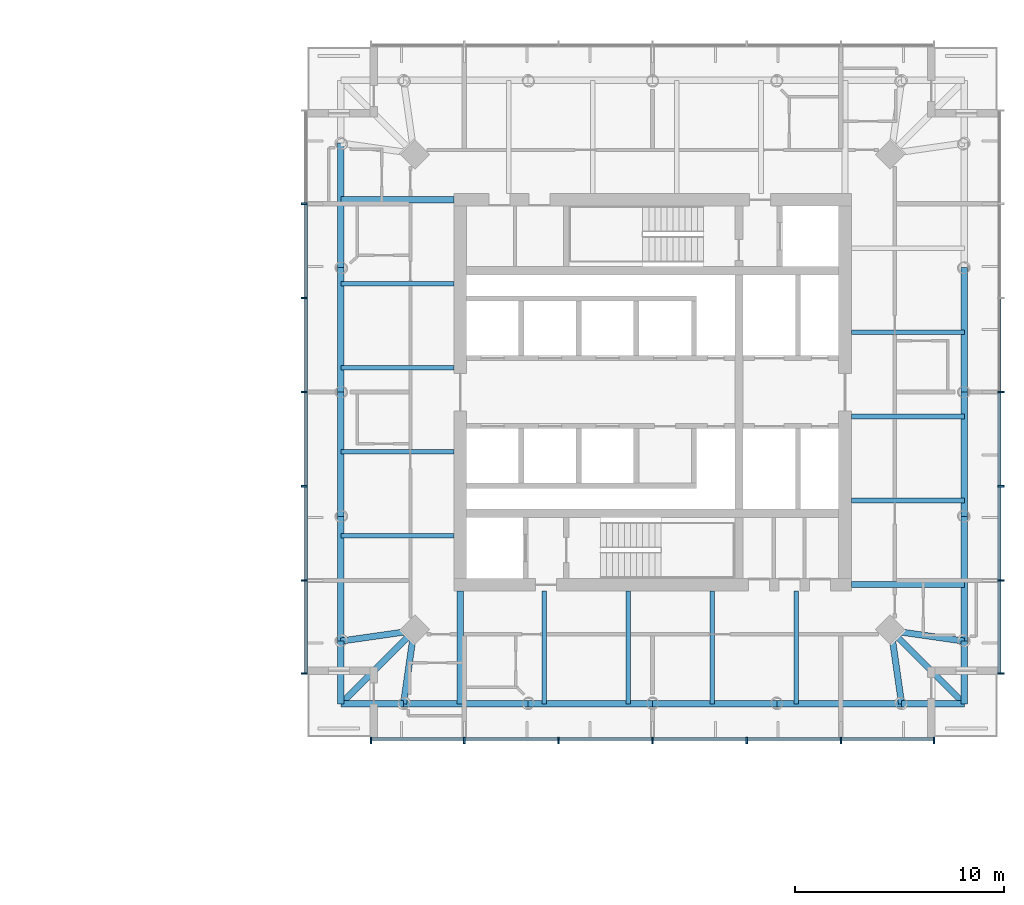
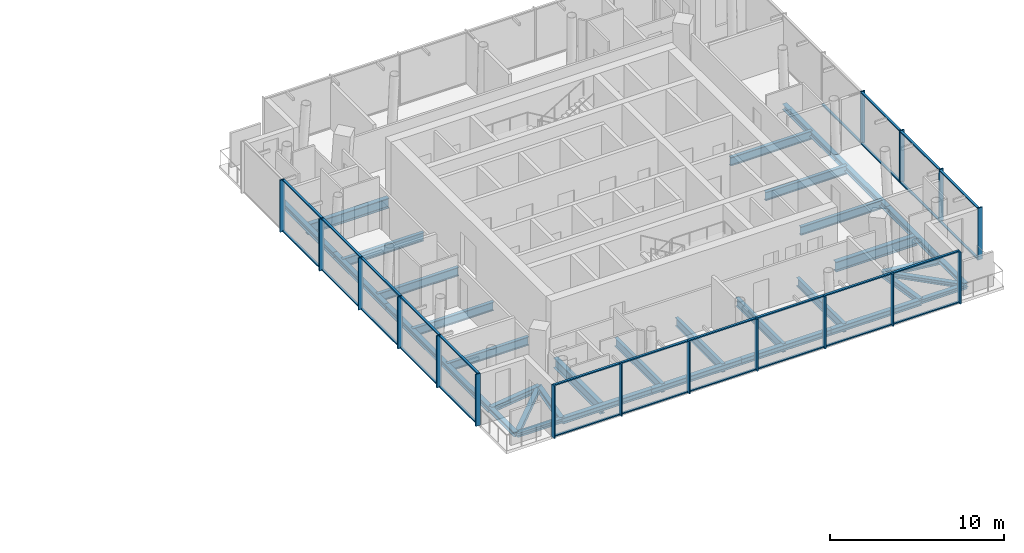
# One storey, part 4 of 19: 46 members, 35 beams, 3 elements without a shape of their own.
"""IFC4 building model written with IfcOpenShell, lengths in metres."""

from ifc_helpers import new_model, si_unit, direction, frame, origin, origin_2d, place, context, subcontext, project, spatial, rectangle, i_section, extrude, material, material_profile, profile_set, type_object, element, aggregate, save


model = new_model("IFC4")

# Units and contexts
model_context = context("Model", 3, precision=1e-05, world=origin(), true_north=direction((0.0, 1.0)))
body_context = subcontext(model_context, "Body", "Model", "MODEL_VIEW")
ifc_project = project(units=[si_unit("LENGTHUNIT", "METRE"), si_unit("AREAUNIT", "SQUARE_METRE"), si_unit("VOLUMEUNIT", "CUBIC_METRE"), si_unit("PLANEANGLEUNIT", "RADIAN"), si_unit("MASSUNIT", "GRAM", prefix="KILO")], contexts=[model_context])

# Site, building, storey
site_placement = place(None, origin())
site = spatial("IfcSite", under=ifc_project, at=site_placement, CompositionType="ELEMENT")
building_placement = place(site_placement, origin())
building = spatial("IfcBuilding", under=site, at=building_placement, Name="Ostroluk Exchange", CompositionType="ELEMENT")
storey_placement = place(building_placement, frame((0.0, 0.0, 116.0)))
storey = spatial("IfcBuildingStorey", under=building, at=storey_placement, Name="L29", CompositionType="ELEMENT", Elevation=116.0)

# Beams
ifc_material_1 = material(Name="Steel S355", Category="steel")
ifc_material_profile_1 = material_profile(ifc_material_1, i_section(OverallWidth=0.300048828125, OverallDepth=0.300048828125, WebThickness=0.010986328125, FlangeThickness=0.01904296875, FilletRadius=0.027099609375, at=origin_2d()), Name="HEB 300")
ifc_profile_set_1 = profile_set([ifc_material_profile_1], Name="Steel S355")
beam_type_1 = type_object("IfcBeamType", Name="Balcony beam HEB 300", PredefinedType="BEAM", material=ifc_profile_set_1)
for number, where, z_axis, x_axis, name in (
    (1, (102.0947265625, 34.0947265625, -0.35009765625), (0.0, -1.0, 0.0), (1.0, 0.0, 0.0), "T2 west balcony beam a"),
    (2, (105.0947265625, 31.0947265625, -0.35009765625), (-1.0, 0.0, 0.0), (0.0, -1.0, 0.0), "T2 west balcony beam b"),
):
    element("IfcBeam", number, at=place(storey_placement, frame(where, z_axis=z_axis, x_axis=x_axis)), inside=storey, type_object=beam_type_1, Name=name, PredefinedType="BEAM", context=body_context, shape_type="SweptSolid", body=[
        extrude(i_section(OverallWidth=0.300048828125, OverallDepth=0.300048828125, WebThickness=0.010986328125, FlangeThickness=0.01904296875, FilletRadius=0.027099609375, at=origin_2d()), origin(), (0.0, 0.0, 1.0), 3.0),
    ])
beam_1_placement = place(storey_placement, frame((105.5947265625, 34.5947265625, -0.35009765625), z_axis=(-0.707106781187, -0.707106781187, 0.0), x_axis=(0.707106781187, -0.707106781187, 0.0)))
element("IfcBeam", 3, at=beam_1_placement, inside=storey, type_object=beam_type_1, Name="T2 west balcony beam c", PredefinedType="BEAM", context=body_context, shape_type="SweptSolid", body=[
    extrude(i_section(OverallWidth=0.300048828125, OverallDepth=0.300048828125, WebThickness=0.010986328125, FlangeThickness=0.01904296875, FilletRadius=0.027099609375, at=origin_2d()), origin(), (0.0, 0.0, 1.0), 4.94970703125),
])
for number, where, z_axis, x_axis, name in (
    (4, (128.9052734375, 31.0947265625, -0.35009765625), (1.0, 0.0, 0.0), (0.0, 1.0, 0.0), "T2 south balcony beam a"),
    (5, (131.9052734375, 34.0947265625, -0.35009765625), (0.0, -1.0, 0.0), (1.0, 0.0, 0.0), "T2 south balcony beam b"),
):
    element("IfcBeam", number, at=place(storey_placement, frame(where, z_axis=z_axis, x_axis=x_axis)), inside=storey, type_object=beam_type_1, Name=name, PredefinedType="BEAM", context=body_context, shape_type="SweptSolid", body=[
        extrude(i_section(OverallWidth=0.300048828125, OverallDepth=0.300048828125, WebThickness=0.010986328125, FlangeThickness=0.01904296875, FilletRadius=0.027099609375, at=origin_2d()), origin(), (0.0, 0.0, 1.0), 3.0),
    ])
beam_2_placement = place(storey_placement, frame((128.4052734375, 34.5947265625, -0.35009765625), z_axis=(0.707106781187, -0.707106781187, 0.0), x_axis=(0.707106781187, 0.707106781187, 0.0)))
element("IfcBeam", 6, at=beam_2_placement, inside=storey, type_object=beam_type_1, Name="T2 south balcony beam c", PredefinedType="BEAM", context=body_context, shape_type="SweptSolid", body=[
    extrude(i_section(OverallWidth=0.300048828125, OverallDepth=0.300048828125, WebThickness=0.010986328125, FlangeThickness=0.01904296875, FilletRadius=0.027099609375, at=origin_2d()), origin(), (0.0, 0.0, 1.0), 4.94970703125),
])
ifc_material_2 = material(Name="Steel S355", Category="steel")
ifc_material_profile_2 = material_profile(ifc_material_2, i_section(OverallWidth=0.300048828125, OverallDepth=0.39990234375, WebThickness=0.013427734375, FlangeThickness=0.02392578125, FilletRadius=0.027099609375, at=origin_2d()), Name="HEB 400")
ifc_profile_set_2 = profile_set([ifc_material_profile_2], Name="Steel S355")
beam_type_2 = type_object("IfcBeamType", Name="Corner edge beam HEB 400", PredefinedType="SPANDREL", material=ifc_profile_set_2)
for number, where, z_axis, x_axis, name in (
    (7, (105.5947265625, 34.5947265625, -0.39990234375), (-0.989949493661, -0.141421356237, 0.0), (0.141421356237, -0.989949493661, 0.0), "T2 west corner edge beam a"),
    (8, (105.5947265625, 34.5947265625, -0.39990234375), (-0.141421356237, -0.989949493661, 0.0), (0.989949493661, -0.141421356237, 0.0), "T2 west corner edge beam b"),
    (9, (128.4052734375, 34.5947265625, -0.39990234375), (0.141421356237, -0.989949493661, 0.0), (0.989949493661, 0.141421356237, 0.0), "T2 south corner edge beam a"),
    (10, (128.4052734375, 34.5947265625, -0.39990234375), (0.989949493661, -0.141421356237, 0.0), (0.141421356237, 0.989949493661, 0.0), "T2 south corner edge beam b"),
):
    element("IfcBeam", number, at=place(storey_placement, frame(where, z_axis=z_axis, x_axis=x_axis)), inside=storey, type_object=beam_type_2, Name=name, PredefinedType="SPANDREL", context=body_context, shape_type="SweptSolid", body=[
        extrude(i_section(OverallWidth=0.300048828125, OverallDepth=0.39990234375, WebThickness=0.013427734375, FlangeThickness=0.02392578125, FilletRadius=0.027099609375, at=origin_2d()), origin(), (0.0, 0.0, 1.0), 3.53564453125),
    ])
ifc_material_3 = material(Name="Steel S355", Category="steel")
ifc_material_profile_3 = material_profile(ifc_material_3, i_section(OverallWidth=0.219970703125, OverallDepth=0.60009765625, WebThickness=0.011962890625, FlangeThickness=0.01904296875, FilletRadius=0.02392578125, at=origin_2d()), Name="IPE 600")
ifc_profile_set_3 = profile_set([ifc_material_profile_3], Name="Steel S355")
beam_type_3 = type_object("IfcBeamType", Name="Floor beam IPE 600", PredefinedType="BEAM", material=ifc_profile_set_3)
for number, where, z_axis, x_axis, name in (
    (11, (126.5, 40.817626953125, -0.5), (1.0, 0.0, 0.0), (0.0, 1.0, 0.0), "T2 east floor beam 1"),
    (12, (126.5, 44.8349609375, -0.5), (1.0, 0.0, 0.0), (0.0, 1.0, 0.0), "T2 east floor beam 2"),
    (13, (126.5, 48.8525390625, -0.5), (1.0, 0.0, 0.0), (0.0, 1.0, 0.0), "T2 east floor beam 3"),
    (14, (107.5, 51.182373046875, -0.5), (-1.0, 0.0, 0.0), (0.0, -1.0, 0.0), "T2 west floor beam 1"),
    (15, (107.5, 47.1650390625, -0.5), (-1.0, 0.0, 0.0), (0.0, -1.0, 0.0), "T2 west floor beam 2"),
    (16, (107.5, 43.1474609375, -0.5), (-1.0, 0.0, 0.0), (0.0, -1.0, 0.0), "T2 west floor beam 3"),
    (17, (107.5, 39.1298828125, -0.5), (-1.0, 0.0, 0.0), (0.0, -1.0, 0.0), "T2 west floor beam 4"),
    (18, (111.817626953125, 36.5, -0.5), (0.0, -1.0, 0.0), (1.0, 0.0, 0.0), "T2 south floor beam 1"),
    (19, (115.8349609375, 36.5, -0.5), (0.0, -1.0, 0.0), (1.0, 0.0, 0.0), "T2 south floor beam 2"),
    (20, (119.8525390625, 36.5, -0.5), (0.0, -1.0, 0.0), (1.0, 0.0, 0.0), "T2 south floor beam 3"),
    (21, (123.8701171875, 36.5, -0.5), (0.0, -1.0, 0.0), (1.0, 0.0, 0.0), "T2 south floor beam 4"),
):
    element("IfcBeam", number, at=place(storey_placement, frame(where, z_axis=z_axis, x_axis=x_axis)), inside=storey, type_object=beam_type_3, Name=name, PredefinedType="BEAM", context=body_context, shape_type="SweptSolid", body=[
        extrude(i_section(OverallWidth=0.219970703125, OverallDepth=0.60009765625, WebThickness=0.011962890625, FlangeThickness=0.01904296875, FilletRadius=0.02392578125, at=origin_2d()), origin(), (0.0, 0.0, 1.0), 5.4052734375),
    ])
ifc_material_4 = material(Name="Steel S355", Category="steel")
ifc_material_profile_4 = material_profile(ifc_material_4, i_section(OverallWidth=0.300048828125, OverallDepth=0.699951171875, WebThickness=0.01708984375, FlangeThickness=0.031982421875, FilletRadius=0.027099609375, at=origin_2d()), Name="HEB 700")
ifc_profile_set_4 = profile_set([ifc_material_profile_4], Name="Steel S355")
beam_type_4 = type_object("IfcBeamType", Name="Girder HEB 700", PredefinedType="BEAM", material=ifc_profile_set_4)
for number, where, z_axis, x_axis, name in (
    (22, (107.5, 55.199951171875, -0.550048828125), (-1.0, 0.0, 0.0), (0.0, -1.0, 0.0), "T2 north girder"),
    (23, (107.800048828125, 36.5, -0.550048828125), (0.0, -1.0, 0.0), (1.0, 0.0, 0.0), "T2 west girder"),
    (24, (126.5, 36.800048828125, -0.550048828125), (1.0, 0.0, 0.0), (0.0, 1.0, 0.0), "T2 south girder"),
):
    element("IfcBeam", number, at=place(storey_placement, frame(where, z_axis=z_axis, x_axis=x_axis)), inside=storey, type_object=beam_type_4, Name=name, PredefinedType="BEAM", context=body_context, shape_type="SweptSolid", body=[
        extrude(i_section(OverallWidth=0.300048828125, OverallDepth=0.699951171875, WebThickness=0.01708984375, FlangeThickness=0.031982421875, FilletRadius=0.027099609375, at=origin_2d()), origin(), (0.0, 0.0, 1.0), 5.4052734375),
    ])
ifc_material_5 = material(Name="Steel S355", Category="steel")
ifc_material_profile_5 = material_profile(ifc_material_5, i_section(OverallWidth=0.300048828125, OverallDepth=0.39990234375, WebThickness=0.013427734375, FlangeThickness=0.02392578125, FilletRadius=0.027099609375, at=origin_2d()), Name="HEB 400")
ifc_profile_set_5 = profile_set([ifc_material_profile_5], Name="Steel S355")
beam_type_5 = type_object("IfcBeamType", Name="Moment-connected edge beam HEB 400", PredefinedType="SPANDREL", material=ifc_profile_set_5)
for number, where, z_axis, x_axis, name in (
    (25, (131.9052734375, 34.0947265625, -0.39990234375), (0.0, 1.0, 0.0), (-1.0, 0.0, 0.0), "T2 east edge beam 1"),
    (26, (131.9052734375, 40.04736328125, -0.39990234375), (0.0, 1.0, 0.0), (-1.0, 0.0, 0.0), "T2 east edge beam 2"),
    (27, (131.9052734375, 46.0, -0.39990234375), (0.0, 1.0, 0.0), (-1.0, 0.0, 0.0), "T2 east edge beam 3"),
    (28, (102.0947265625, 57.9052734375, -0.39990234375), (0.0, -1.0, 0.0), (1.0, 0.0, 0.0), "T2 west edge beam 1"),
    (29, (102.0947265625, 51.95263671875, -0.39990234375), (0.0, -1.0, 0.0), (1.0, 0.0, 0.0), "T2 west edge beam 2"),
    (30, (102.0947265625, 46.0, -0.39990234375), (0.0, -1.0, 0.0), (1.0, 0.0, 0.0), "T2 west edge beam 3"),
    (31, (102.0947265625, 40.04736328125, -0.39990234375), (0.0, -1.0, 0.0), (1.0, 0.0, 0.0), "T2 west edge beam 4"),
    (32, (105.0947265625, 31.0947265625, -0.39990234375), (1.0, 0.0, 0.0), (0.0, 1.0, 0.0), "T2 south edge beam 1"),
    (33, (111.04736328125, 31.0947265625, -0.39990234375), (1.0, 0.0, 0.0), (0.0, 1.0, 0.0), "T2 south edge beam 2"),
    (34, (117.0, 31.0947265625, -0.39990234375), (1.0, 0.0, 0.0), (0.0, 1.0, 0.0), "T2 south edge beam 3"),
    (35, (122.95263671875, 31.0947265625, -0.39990234375), (1.0, 0.0, 0.0), (0.0, 1.0, 0.0), "T2 south edge beam 4"),
):
    element("IfcBeam", number, at=place(storey_placement, frame(where, z_axis=z_axis, x_axis=x_axis)), inside=storey, type_object=beam_type_5, Name=name, PredefinedType="SPANDREL", context=body_context, shape_type="SweptSolid", body=[
        extrude(i_section(OverallWidth=0.300048828125, OverallDepth=0.39990234375, WebThickness=0.013427734375, FlangeThickness=0.02392578125, FilletRadius=0.027099609375, at=origin_2d()), origin(), (0.0, 0.0, 1.0), 5.95263671875),
    ])

# Curtain wall, members
ifc_material_6 = material(Name="Laminated clear glass", Category="glass")
curtain_wall_type = type_object("IfcCurtainWallType", Name="Hotel guest floor facade", PredefinedType="USERDEFINED", material=ifc_material_6)
curtain_wall_1_placement = place(storey_placement, origin())
curtain_wall_1 = element("IfcCurtainWall", 36, at=curtain_wall_1_placement, inside=storey, type_object=curtain_wall_type, Name="Hotel tower south facade L29", ObjectType="UNITISED CURTAIN WALL", PredefinedType="USERDEFINED")
ifc_material_7 = material(Name="Aluminium mullion", Category="aluminium")
ifc_material_profile_6 = material_profile(ifc_material_7, rectangle(XDim=0.14990234375, YDim=0.080078125, at=origin_2d()), Name="Sill transom 80 x 150")
ifc_profile_set_6 = profile_set([ifc_material_profile_6], Name="Aluminium mullion")
member_type_1 = type_object("IfcMemberType", Name="Sill transom 80 x 150", PredefinedType="USERDEFINED", material=ifc_profile_set_6)
member_1_placement = place(storey_placement, frame((103.580078125, 29.425048828125, 0.0400390625), z_axis=(1.0, 0.0, 0.0), x_axis=(0.0, 1.0, 0.0)))
member_1 = element("IfcMember", 37, at=member_1_placement, type_object=member_type_1, Name="CW-H1 transom 1.1", ObjectType="TRANSOM", PredefinedType="USERDEFINED", context=body_context, shape_type="SweptSolid", body=[
    extrude(rectangle(XDim=0.14990234375, YDim=0.080078125, at=origin_2d()), origin(), (0.0, 0.0, 1.0), 4.3798828125),
])
member_2_placement = place(storey_placement, frame((103.580078125, 29.425048828125, 3.610107421875), z_axis=(1.0, 0.0, 0.0), x_axis=(0.0, 1.0, 0.0)))
member_2 = element("IfcMember", 38, at=member_2_placement, type_object=member_type_1, Name="CW-H1 transom 1.2", ObjectType="TRANSOM", PredefinedType="USERDEFINED", context=body_context, shape_type="SweptSolid", body=[
    extrude(rectangle(XDim=0.14990234375, YDim=0.080078125, at=origin_2d()), origin(), (0.0, 0.0, 1.0), 4.3798828125),
])
member_3_placement = place(storey_placement, frame((108.0400390625, 29.425048828125, 0.0400390625), z_axis=(1.0, 0.0, 0.0), x_axis=(0.0, 1.0, 0.0)))
member_3 = element("IfcMember", 39, at=member_3_placement, type_object=member_type_1, Name="CW-H1 transom 2.1", ObjectType="TRANSOM", PredefinedType="USERDEFINED", context=body_context, shape_type="SweptSolid", body=[
    extrude(rectangle(XDim=0.14990234375, YDim=0.080078125, at=origin_2d()), origin(), (0.0, 0.0, 1.0), 4.419921875),
])
member_4_placement = place(storey_placement, frame((108.0400390625, 29.425048828125, 3.610107421875), z_axis=(1.0, 0.0, 0.0), x_axis=(0.0, 1.0, 0.0)))
member_4 = element("IfcMember", 40, at=member_4_placement, type_object=member_type_1, Name="CW-H1 transom 2.2", ObjectType="TRANSOM", PredefinedType="USERDEFINED", context=body_context, shape_type="SweptSolid", body=[
    extrude(rectangle(XDim=0.14990234375, YDim=0.080078125, at=origin_2d()), origin(), (0.0, 0.0, 1.0), 4.419921875),
])
member_5_placement = place(storey_placement, frame((112.5400390625, 29.425048828125, 0.0400390625), z_axis=(1.0, 0.0, 0.0), x_axis=(0.0, 1.0, 0.0)))
member_5 = element("IfcMember", 41, at=member_5_placement, type_object=member_type_1, Name="CW-H1 transom 3.1", ObjectType="TRANSOM", PredefinedType="USERDEFINED", context=body_context, shape_type="SweptSolid", body=[
    extrude(rectangle(XDim=0.14990234375, YDim=0.080078125, at=origin_2d()), origin(), (0.0, 0.0, 1.0), 4.419921875),
])
member_6_placement = place(storey_placement, frame((112.5400390625, 29.425048828125, 3.610107421875), z_axis=(1.0, 0.0, 0.0), x_axis=(0.0, 1.0, 0.0)))
member_6 = element("IfcMember", 42, at=member_6_placement, type_object=member_type_1, Name="CW-H1 transom 3.2", ObjectType="TRANSOM", PredefinedType="USERDEFINED", context=body_context, shape_type="SweptSolid", body=[
    extrude(rectangle(XDim=0.14990234375, YDim=0.080078125, at=origin_2d()), origin(), (0.0, 0.0, 1.0), 4.419921875),
])
member_7_placement = place(storey_placement, frame((117.0400390625, 29.425048828125, 0.0400390625), z_axis=(1.0, 0.0, 0.0), x_axis=(0.0, 1.0, 0.0)))
member_7 = element("IfcMember", 43, at=member_7_placement, type_object=member_type_1, Name="CW-H1 transom 4.1", ObjectType="TRANSOM", PredefinedType="USERDEFINED", context=body_context, shape_type="SweptSolid", body=[
    extrude(rectangle(XDim=0.14990234375, YDim=0.080078125, at=origin_2d()), origin(), (0.0, 0.0, 1.0), 4.419921875),
])
member_8_placement = place(storey_placement, frame((117.0400390625, 29.425048828125, 3.610107421875), z_axis=(1.0, 0.0, 0.0), x_axis=(0.0, 1.0, 0.0)))
member_8 = element("IfcMember", 44, at=member_8_placement, type_object=member_type_1, Name="CW-H1 transom 4.2", ObjectType="TRANSOM", PredefinedType="USERDEFINED", context=body_context, shape_type="SweptSolid", body=[
    extrude(rectangle(XDim=0.14990234375, YDim=0.080078125, at=origin_2d()), origin(), (0.0, 0.0, 1.0), 4.419921875),
])
member_9_placement = place(storey_placement, frame((121.5400390625, 29.425048828125, 0.0400390625), z_axis=(1.0, 0.0, 0.0), x_axis=(0.0, 1.0, 0.0)))
member_9 = element("IfcMember", 45, at=member_9_placement, type_object=member_type_1, Name="CW-H1 transom 5.1", ObjectType="TRANSOM", PredefinedType="USERDEFINED", context=body_context, shape_type="SweptSolid", body=[
    extrude(rectangle(XDim=0.14990234375, YDim=0.080078125, at=origin_2d()), origin(), (0.0, 0.0, 1.0), 4.419921875),
])
member_10_placement = place(storey_placement, frame((121.5400390625, 29.425048828125, 3.610107421875), z_axis=(1.0, 0.0, 0.0), x_axis=(0.0, 1.0, 0.0)))
member_10 = element("IfcMember", 46, at=member_10_placement, type_object=member_type_1, Name="CW-H1 transom 5.2", ObjectType="TRANSOM", PredefinedType="USERDEFINED", context=body_context, shape_type="SweptSolid", body=[
    extrude(rectangle(XDim=0.14990234375, YDim=0.080078125, at=origin_2d()), origin(), (0.0, 0.0, 1.0), 4.419921875),
])
member_11_placement = place(storey_placement, frame((126.0400390625, 29.425048828125, 0.0400390625), z_axis=(1.0, 0.0, 0.0), x_axis=(0.0, 1.0, 0.0)))
member_11 = element("IfcMember", 47, at=member_11_placement, type_object=member_type_1, Name="CW-H1 transom 6.1", ObjectType="TRANSOM", PredefinedType="USERDEFINED", context=body_context, shape_type="SweptSolid", body=[
    extrude(rectangle(XDim=0.14990234375, YDim=0.080078125, at=origin_2d()), origin(), (0.0, 0.0, 1.0), 4.3798828125),
])
member_12_placement = place(storey_placement, frame((126.0400390625, 29.425048828125, 3.610107421875), z_axis=(1.0, 0.0, 0.0), x_axis=(0.0, 1.0, 0.0)))
member_12 = element("IfcMember", 48, at=member_12_placement, type_object=member_type_1, Name="CW-H1 transom 6.2", ObjectType="TRANSOM", PredefinedType="USERDEFINED", context=body_context, shape_type="SweptSolid", body=[
    extrude(rectangle(XDim=0.14990234375, YDim=0.080078125, at=origin_2d()), origin(), (0.0, 0.0, 1.0), 4.3798828125),
])

curtain_wall_2_placement = place(storey_placement, origin())
curtain_wall_2 = element("IfcCurtainWall", 49, at=curtain_wall_2_placement, inside=storey, type_object=curtain_wall_type, Name="Hotel tower east facade L29", ObjectType="UNITISED CURTAIN WALL", PredefinedType="USERDEFINED")
member_13_placement = place(storey_placement, frame((133.574951171875, 32.580078125, 0.0400390625), z_axis=(0.0, 1.0, 0.0), x_axis=(-1.0, 0.0, 0.0)))
member_13 = element("IfcMember", 50, at=member_13_placement, type_object=member_type_1, Name="CW-H1 transom 1.1", ObjectType="TRANSOM", PredefinedType="USERDEFINED", context=body_context, shape_type="SweptSolid", body=[
    extrude(rectangle(XDim=0.14990234375, YDim=0.080078125, at=origin_2d()), origin(), (0.0, 0.0, 1.0), 4.3798828125),
])
member_14_placement = place(storey_placement, frame((133.574951171875, 32.580078125, 3.610107421875), z_axis=(0.0, 1.0, 0.0), x_axis=(-1.0, 0.0, 0.0)))
member_14 = element("IfcMember", 51, at=member_14_placement, type_object=member_type_1, Name="CW-H1 transom 1.2", ObjectType="TRANSOM", PredefinedType="USERDEFINED", context=body_context, shape_type="SweptSolid", body=[
    extrude(rectangle(XDim=0.14990234375, YDim=0.080078125, at=origin_2d()), origin(), (0.0, 0.0, 1.0), 4.3798828125),
])
member_15_placement = place(storey_placement, frame((133.574951171875, 37.0400390625, 0.0400390625), z_axis=(0.0, 1.0, 0.0), x_axis=(-1.0, 0.0, 0.0)))
member_15 = element("IfcMember", 52, at=member_15_placement, type_object=member_type_1, Name="CW-H1 transom 2.1", ObjectType="TRANSOM", PredefinedType="USERDEFINED", context=body_context, shape_type="SweptSolid", body=[
    extrude(rectangle(XDim=0.14990234375, YDim=0.080078125, at=origin_2d()), origin(), (0.0, 0.0, 1.0), 4.419921875),
])
member_16_placement = place(storey_placement, frame((133.574951171875, 37.0400390625, 3.610107421875), z_axis=(0.0, 1.0, 0.0), x_axis=(-1.0, 0.0, 0.0)))
member_16 = element("IfcMember", 53, at=member_16_placement, type_object=member_type_1, Name="CW-H1 transom 2.2", ObjectType="TRANSOM", PredefinedType="USERDEFINED", context=body_context, shape_type="SweptSolid", body=[
    extrude(rectangle(XDim=0.14990234375, YDim=0.080078125, at=origin_2d()), origin(), (0.0, 0.0, 1.0), 4.419921875),
])
member_17_placement = place(storey_placement, frame((133.574951171875, 41.5400390625, 0.0400390625), z_axis=(0.0, 1.0, 0.0), x_axis=(-1.0, 0.0, 0.0)))
member_17 = element("IfcMember", 54, at=member_17_placement, type_object=member_type_1, Name="CW-H1 transom 3.1", ObjectType="TRANSOM", PredefinedType="USERDEFINED", context=body_context, shape_type="SweptSolid", body=[
    extrude(rectangle(XDim=0.14990234375, YDim=0.080078125, at=origin_2d()), origin(), (0.0, 0.0, 1.0), 4.419921875),
])
member_18_placement = place(storey_placement, frame((133.574951171875, 41.5400390625, 3.610107421875), z_axis=(0.0, 1.0, 0.0), x_axis=(-1.0, 0.0, 0.0)))
member_18 = element("IfcMember", 55, at=member_18_placement, type_object=member_type_1, Name="CW-H1 transom 3.2", ObjectType="TRANSOM", PredefinedType="USERDEFINED", context=body_context, shape_type="SweptSolid", body=[
    extrude(rectangle(XDim=0.14990234375, YDim=0.080078125, at=origin_2d()), origin(), (0.0, 0.0, 1.0), 4.419921875),
])
member_19_placement = place(storey_placement, frame((133.574951171875, 46.0400390625, 0.0400390625), z_axis=(0.0, 1.0, 0.0), x_axis=(-1.0, 0.0, 0.0)))
member_19 = element("IfcMember", 56, at=member_19_placement, type_object=member_type_1, Name="CW-H1 transom 4.1", ObjectType="TRANSOM", PredefinedType="USERDEFINED", context=body_context, shape_type="SweptSolid", body=[
    extrude(rectangle(XDim=0.14990234375, YDim=0.080078125, at=origin_2d()), origin(), (0.0, 0.0, 1.0), 4.419921875),
])

curtain_wall_3_placement = place(storey_placement, origin())
curtain_wall_3 = element("IfcCurtainWall", 57, at=curtain_wall_3_placement, inside=storey, type_object=curtain_wall_type, Name="Hotel tower west facade L29", ObjectType="UNITISED CURTAIN WALL", PredefinedType="USERDEFINED")
member_20_placement = place(storey_placement, frame((100.425048828125, 54.9599609375, 0.0400390625), z_axis=(0.0, -1.0, 0.0), x_axis=(1.0, 0.0, 0.0)))
member_20 = element("IfcMember", 58, at=member_20_placement, type_object=member_type_1, Name="CW-H1 transom 2.1", ObjectType="TRANSOM", PredefinedType="USERDEFINED", context=body_context, shape_type="SweptSolid", body=[
    extrude(rectangle(XDim=0.14990234375, YDim=0.080078125, at=origin_2d()), origin(), (0.0, 0.0, 1.0), 4.419921875),
])
member_21_placement = place(storey_placement, frame((100.425048828125, 54.9599609375, 3.610107421875), z_axis=(0.0, -1.0, 0.0), x_axis=(1.0, 0.0, 0.0)))
member_21 = element("IfcMember", 59, at=member_21_placement, type_object=member_type_1, Name="CW-H1 transom 2.2", ObjectType="TRANSOM", PredefinedType="USERDEFINED", context=body_context, shape_type="SweptSolid", body=[
    extrude(rectangle(XDim=0.14990234375, YDim=0.080078125, at=origin_2d()), origin(), (0.0, 0.0, 1.0), 4.419921875),
])
member_22_placement = place(storey_placement, frame((100.425048828125, 50.4599609375, 0.0400390625), z_axis=(0.0, -1.0, 0.0), x_axis=(1.0, 0.0, 0.0)))
member_22 = element("IfcMember", 60, at=member_22_placement, type_object=member_type_1, Name="CW-H1 transom 3.1", ObjectType="TRANSOM", PredefinedType="USERDEFINED", context=body_context, shape_type="SweptSolid", body=[
    extrude(rectangle(XDim=0.14990234375, YDim=0.080078125, at=origin_2d()), origin(), (0.0, 0.0, 1.0), 4.419921875),
])
member_23_placement = place(storey_placement, frame((100.425048828125, 50.4599609375, 3.610107421875), z_axis=(0.0, -1.0, 0.0), x_axis=(1.0, 0.0, 0.0)))
member_23 = element("IfcMember", 61, at=member_23_placement, type_object=member_type_1, Name="CW-H1 transom 3.2", ObjectType="TRANSOM", PredefinedType="USERDEFINED", context=body_context, shape_type="SweptSolid", body=[
    extrude(rectangle(XDim=0.14990234375, YDim=0.080078125, at=origin_2d()), origin(), (0.0, 0.0, 1.0), 4.419921875),
])
member_24_placement = place(storey_placement, frame((100.425048828125, 45.9599609375, 0.0400390625), z_axis=(0.0, -1.0, 0.0), x_axis=(1.0, 0.0, 0.0)))
member_24 = element("IfcMember", 62, at=member_24_placement, type_object=member_type_1, Name="CW-H1 transom 4.1", ObjectType="TRANSOM", PredefinedType="USERDEFINED", context=body_context, shape_type="SweptSolid", body=[
    extrude(rectangle(XDim=0.14990234375, YDim=0.080078125, at=origin_2d()), origin(), (0.0, 0.0, 1.0), 4.419921875),
])
member_25_placement = place(storey_placement, frame((100.425048828125, 45.9599609375, 3.610107421875), z_axis=(0.0, -1.0, 0.0), x_axis=(1.0, 0.0, 0.0)))
member_25 = element("IfcMember", 63, at=member_25_placement, type_object=member_type_1, Name="CW-H1 transom 4.2", ObjectType="TRANSOM", PredefinedType="USERDEFINED", context=body_context, shape_type="SweptSolid", body=[
    extrude(rectangle(XDim=0.14990234375, YDim=0.080078125, at=origin_2d()), origin(), (0.0, 0.0, 1.0), 4.419921875),
])
member_26_placement = place(storey_placement, frame((100.425048828125, 41.4599609375, 0.0400390625), z_axis=(0.0, -1.0, 0.0), x_axis=(1.0, 0.0, 0.0)))
member_26 = element("IfcMember", 64, at=member_26_placement, type_object=member_type_1, Name="CW-H1 transom 5.1", ObjectType="TRANSOM", PredefinedType="USERDEFINED", context=body_context, shape_type="SweptSolid", body=[
    extrude(rectangle(XDim=0.14990234375, YDim=0.080078125, at=origin_2d()), origin(), (0.0, 0.0, 1.0), 4.419921875),
])
member_27_placement = place(storey_placement, frame((100.425048828125, 41.4599609375, 3.610107421875), z_axis=(0.0, -1.0, 0.0), x_axis=(1.0, 0.0, 0.0)))
member_27 = element("IfcMember", 65, at=member_27_placement, type_object=member_type_1, Name="CW-H1 transom 5.2", ObjectType="TRANSOM", PredefinedType="USERDEFINED", context=body_context, shape_type="SweptSolid", body=[
    extrude(rectangle(XDim=0.14990234375, YDim=0.080078125, at=origin_2d()), origin(), (0.0, 0.0, 1.0), 4.419921875),
])
member_28_placement = place(storey_placement, frame((100.425048828125, 36.9599609375, 0.0400390625), z_axis=(0.0, -1.0, 0.0), x_axis=(1.0, 0.0, 0.0)))
member_28 = element("IfcMember", 66, at=member_28_placement, type_object=member_type_1, Name="CW-H1 transom 6.1", ObjectType="TRANSOM", PredefinedType="USERDEFINED", context=body_context, shape_type="SweptSolid", body=[
    extrude(rectangle(XDim=0.14990234375, YDim=0.080078125, at=origin_2d()), origin(), (0.0, 0.0, 1.0), 4.3798828125),
])
member_29_placement = place(storey_placement, frame((100.425048828125, 36.9599609375, 3.610107421875), z_axis=(0.0, -1.0, 0.0), x_axis=(1.0, 0.0, 0.0)))
member_29 = element("IfcMember", 67, at=member_29_placement, type_object=member_type_1, Name="CW-H1 transom 6.2", ObjectType="TRANSOM", PredefinedType="USERDEFINED", context=body_context, shape_type="SweptSolid", body=[
    extrude(rectangle(XDim=0.14990234375, YDim=0.080078125, at=origin_2d()), origin(), (0.0, 0.0, 1.0), 4.3798828125),
])

# Member
ifc_material_8 = material(Name="Aluminium mullion with limestone facing", Category="masonry")
ifc_material_profile_7 = material_profile(ifc_material_8, rectangle(XDim=0.300048828125, YDim=0.080078125, at=origin_2d()), Name="Tracery mullion 80 x 300")
ifc_profile_set_7 = profile_set([ifc_material_profile_7], Name="Aluminium mullion with limestone facing")
member_type_2 = type_object("IfcMemberType", Name="Tracery mullion 80 x 300", PredefinedType="MULLION", material=ifc_profile_set_7)
member_30_placement = place(storey_placement, frame((103.5400390625, 29.35009765625, 0.0), z_axis=(0.0, 0.0, 1.0), x_axis=(0.0, 1.0, 0.0)))
member_30 = element("IfcMember", 68, at=member_30_placement, type_object=member_type_2, Name="CW-H1 mullion 1", PredefinedType="MULLION", context=body_context, shape_type="SweptSolid", body=[
    extrude(rectangle(XDim=0.300048828125, YDim=0.080078125, at=origin_2d()), origin(), (0.0, 0.0, 1.0), 3.64990234375),
])

member_31_placement = place(storey_placement, frame((108.0, 29.35009765625, 0.0), z_axis=(0.0, 0.0, 1.0), x_axis=(0.0, 1.0, 0.0)))
member_31 = element("IfcMember", 69, at=member_31_placement, type_object=member_type_2, Name="CW-H1 mullion 2", PredefinedType="MULLION", context=body_context, shape_type="SweptSolid", body=[
    extrude(rectangle(XDim=0.300048828125, YDim=0.080078125, at=origin_2d()), origin(), (0.0, 0.0, 1.0), 3.64990234375),
])

member_32_placement = place(storey_placement, frame((112.5, 29.35009765625, 0.0), z_axis=(0.0, 0.0, 1.0), x_axis=(0.0, 1.0, 0.0)))
member_32 = element("IfcMember", 70, at=member_32_placement, type_object=member_type_2, Name="CW-H1 mullion 3", PredefinedType="MULLION", context=body_context, shape_type="SweptSolid", body=[
    extrude(rectangle(XDim=0.300048828125, YDim=0.080078125, at=origin_2d()), origin(), (0.0, 0.0, 1.0), 3.64990234375),
])

member_33_placement = place(storey_placement, frame((117.0, 29.35009765625, 0.0), z_axis=(0.0, 0.0, 1.0), x_axis=(0.0, 1.0, 0.0)))
member_33 = element("IfcMember", 71, at=member_33_placement, type_object=member_type_2, Name="CW-H1 mullion 4", PredefinedType="MULLION", context=body_context, shape_type="SweptSolid", body=[
    extrude(rectangle(XDim=0.300048828125, YDim=0.080078125, at=origin_2d()), origin(), (0.0, 0.0, 1.0), 3.64990234375),
])

member_34_placement = place(storey_placement, frame((121.5, 29.35009765625, 0.0), z_axis=(0.0, 0.0, 1.0), x_axis=(0.0, 1.0, 0.0)))
member_34 = element("IfcMember", 72, at=member_34_placement, type_object=member_type_2, Name="CW-H1 mullion 5", PredefinedType="MULLION", context=body_context, shape_type="SweptSolid", body=[
    extrude(rectangle(XDim=0.300048828125, YDim=0.080078125, at=origin_2d()), origin(), (0.0, 0.0, 1.0), 3.64990234375),
])

member_35_placement = place(storey_placement, frame((126.0, 29.35009765625, 0.0), z_axis=(0.0, 0.0, 1.0), x_axis=(0.0, 1.0, 0.0)))
member_35 = element("IfcMember", 73, at=member_35_placement, type_object=member_type_2, Name="CW-H1 mullion 6", PredefinedType="MULLION", context=body_context, shape_type="SweptSolid", body=[
    extrude(rectangle(XDim=0.300048828125, YDim=0.080078125, at=origin_2d()), origin(), (0.0, 0.0, 1.0), 3.64990234375),
])

member_36_placement = place(storey_placement, frame((130.4599609375, 29.35009765625, 0.0), z_axis=(0.0, 0.0, 1.0), x_axis=(0.0, 1.0, 0.0)))
member_36 = element("IfcMember", 74, at=member_36_placement, type_object=member_type_2, Name="CW-H1 mullion 7", PredefinedType="MULLION", context=body_context, shape_type="SweptSolid", body=[
    extrude(rectangle(XDim=0.300048828125, YDim=0.080078125, at=origin_2d()), origin(), (0.0, 0.0, 1.0), 3.64990234375),
])

aggregate(curtain_wall_1, [member_30, member_31, member_32, member_33, member_34, member_35, member_36, member_1, member_2, member_3, member_4, member_5, member_6, member_7, member_8, member_9, member_10, member_11, member_12])

member_37_placement = place(storey_placement, frame((133.64990234375, 32.5400390625, 0.0), z_axis=(0.0, 0.0, 1.0), x_axis=(-1.0, 0.0, 0.0)))
member_37 = element("IfcMember", 75, at=member_37_placement, type_object=member_type_2, Name="CW-H1 mullion 1", PredefinedType="MULLION", context=body_context, shape_type="SweptSolid", body=[
    extrude(rectangle(XDim=0.300048828125, YDim=0.080078125, at=origin_2d()), origin(), (0.0, 0.0, 1.0), 3.64990234375),
])

member_38_placement = place(storey_placement, frame((133.64990234375, 37.0, 0.0), z_axis=(0.0, 0.0, 1.0), x_axis=(-1.0, 0.0, 0.0)))
member_38 = element("IfcMember", 76, at=member_38_placement, type_object=member_type_2, Name="CW-H1 mullion 2", PredefinedType="MULLION", context=body_context, shape_type="SweptSolid", body=[
    extrude(rectangle(XDim=0.300048828125, YDim=0.080078125, at=origin_2d()), origin(), (0.0, 0.0, 1.0), 3.64990234375),
])

member_39_placement = place(storey_placement, frame((133.64990234375, 41.5, 0.0), z_axis=(0.0, 0.0, 1.0), x_axis=(-1.0, 0.0, 0.0)))
member_39 = element("IfcMember", 77, at=member_39_placement, type_object=member_type_2, Name="CW-H1 mullion 3", PredefinedType="MULLION", context=body_context, shape_type="SweptSolid", body=[
    extrude(rectangle(XDim=0.300048828125, YDim=0.080078125, at=origin_2d()), origin(), (0.0, 0.0, 1.0), 3.64990234375),
])

member_40_placement = place(storey_placement, frame((133.64990234375, 46.0, 0.0), z_axis=(0.0, 0.0, 1.0), x_axis=(-1.0, 0.0, 0.0)))
member_40 = element("IfcMember", 78, at=member_40_placement, type_object=member_type_2, Name="CW-H1 mullion 4", PredefinedType="MULLION", context=body_context, shape_type="SweptSolid", body=[
    extrude(rectangle(XDim=0.300048828125, YDim=0.080078125, at=origin_2d()), origin(), (0.0, 0.0, 1.0), 3.64990234375),
])

aggregate(curtain_wall_2, [member_37, member_38, member_39, member_40, member_13, member_14, member_15, member_16, member_17, member_18, member_19])

member_41_placement = place(storey_placement, frame((100.35009765625, 55.0, 0.0), z_axis=(0.0, 0.0, 1.0), x_axis=(1.0, 0.0, 0.0)))
member_41 = element("IfcMember", 79, at=member_41_placement, type_object=member_type_2, Name="CW-H1 mullion 2", PredefinedType="MULLION", context=body_context, shape_type="SweptSolid", body=[
    extrude(rectangle(XDim=0.300048828125, YDim=0.080078125, at=origin_2d()), origin(), (0.0, 0.0, 1.0), 3.64990234375),
])

member_42_placement = place(storey_placement, frame((100.35009765625, 50.5, 0.0), z_axis=(0.0, 0.0, 1.0), x_axis=(1.0, 0.0, 0.0)))
member_42 = element("IfcMember", 80, at=member_42_placement, type_object=member_type_2, Name="CW-H1 mullion 3", PredefinedType="MULLION", context=body_context, shape_type="SweptSolid", body=[
    extrude(rectangle(XDim=0.300048828125, YDim=0.080078125, at=origin_2d()), origin(), (0.0, 0.0, 1.0), 3.64990234375),
])

member_43_placement = place(storey_placement, frame((100.35009765625, 46.0, 0.0), z_axis=(0.0, 0.0, 1.0), x_axis=(1.0, 0.0, 0.0)))
member_43 = element("IfcMember", 81, at=member_43_placement, type_object=member_type_2, Name="CW-H1 mullion 4", PredefinedType="MULLION", context=body_context, shape_type="SweptSolid", body=[
    extrude(rectangle(XDim=0.300048828125, YDim=0.080078125, at=origin_2d()), origin(), (0.0, 0.0, 1.0), 3.64990234375),
])

member_44_placement = place(storey_placement, frame((100.35009765625, 41.5, 0.0), z_axis=(0.0, 0.0, 1.0), x_axis=(1.0, 0.0, 0.0)))
member_44 = element("IfcMember", 82, at=member_44_placement, type_object=member_type_2, Name="CW-H1 mullion 5", PredefinedType="MULLION", context=body_context, shape_type="SweptSolid", body=[
    extrude(rectangle(XDim=0.300048828125, YDim=0.080078125, at=origin_2d()), origin(), (0.0, 0.0, 1.0), 3.64990234375),
])

member_45_placement = place(storey_placement, frame((100.35009765625, 37.0, 0.0), z_axis=(0.0, 0.0, 1.0), x_axis=(1.0, 0.0, 0.0)))
member_45 = element("IfcMember", 83, at=member_45_placement, type_object=member_type_2, Name="CW-H1 mullion 6", PredefinedType="MULLION", context=body_context, shape_type="SweptSolid", body=[
    extrude(rectangle(XDim=0.300048828125, YDim=0.080078125, at=origin_2d()), origin(), (0.0, 0.0, 1.0), 3.64990234375),
])

member_46_placement = place(storey_placement, frame((100.35009765625, 32.5400390625, 0.0), z_axis=(0.0, 0.0, 1.0), x_axis=(1.0, 0.0, 0.0)))
member_46 = element("IfcMember", 84, at=member_46_placement, type_object=member_type_2, Name="CW-H1 mullion 7", PredefinedType="MULLION", context=body_context, shape_type="SweptSolid", body=[
    extrude(rectangle(XDim=0.300048828125, YDim=0.080078125, at=origin_2d()), origin(), (0.0, 0.0, 1.0), 3.64990234375),
])

aggregate(curtain_wall_3, [member_41, member_42, member_43, member_44, member_45, member_46, member_20, member_21, member_22, member_23, member_24, member_25, member_26, member_27, member_28, member_29])

save(model, "model.ifc")
